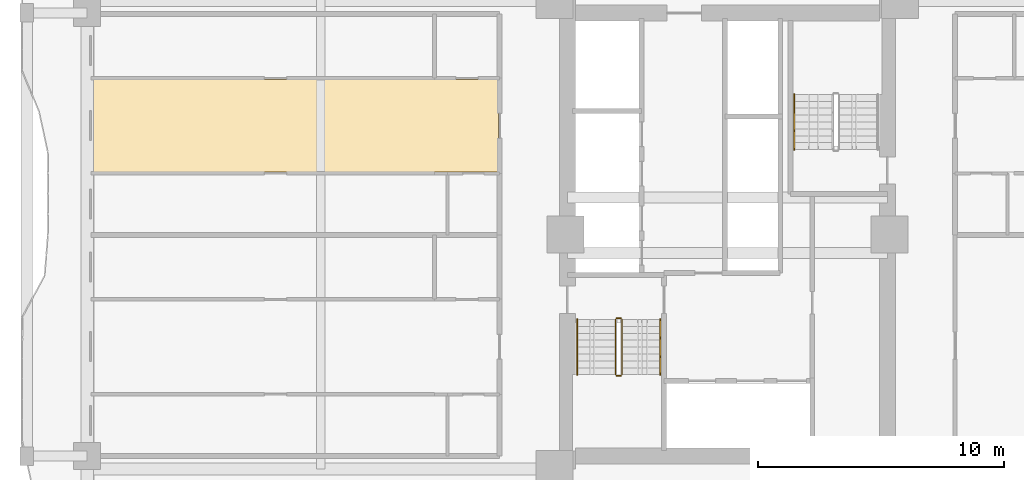
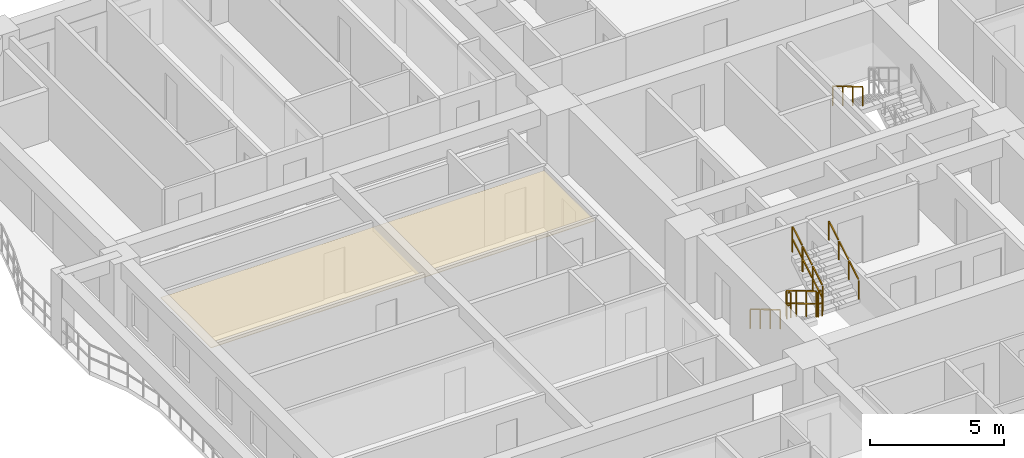
# One storey, part 12 of 15: 7 railings, 1 covering.
"""IFC4 building model written with IfcOpenShell, lengths in metres."""

from ifc_helpers import new_model, si_unit, direction, frame, origin, origin_2d, place, context, subcontext, project, spatial, polyline, rectangle, outline, extrude, material, layer, layer_set, type_object, element, save


model = new_model("IFC4")

# Units and contexts
model_context = context("Model", 3, precision=1e-05, world=origin(), true_north=direction((0.0, 1.0)))
body_context = subcontext(model_context, "Body", "Model", "MODEL_VIEW")
ifc_project = project(units=[si_unit("LENGTHUNIT", "METRE"), si_unit("AREAUNIT", "SQUARE_METRE"), si_unit("VOLUMEUNIT", "CUBIC_METRE"), si_unit("PLANEANGLEUNIT", "RADIAN"), si_unit("MASSUNIT", "GRAM", prefix="KILO")], contexts=[model_context])

# Site, building, storey
site_placement = place(None, origin())
site = spatial("IfcSite", under=ifc_project, at=site_placement, CompositionType="ELEMENT")
building_placement = place(site_placement, origin())
building = spatial("IfcBuilding", under=site, at=building_placement, Name="Saelheon Loggia Tower", CompositionType="ELEMENT")
storey_placement = place(building_placement, frame((0.0, 0.0, 49.39990234375)))
storey = spatial("IfcBuildingStorey", under=building, at=storey_placement, Name="L15", CompositionType="ELEMENT", Elevation=49.39990234375)

# Covering
ifc_material_1 = material(Name="Mineral-Fibre Acoustic Ceiling Board", Category="gypsum")
ifc_layer = layer(ifc_material_1, 0.02490234375)
ifc_layer_set = layer_set([ifc_layer], Name="Mineral-Fibre Acoustic Ceiling Board")
covering_type = type_object("IfcCoveringType", Name="Cov_Ceiling_Acoustic", PredefinedType="CEILING", material=ifc_layer_set)
covering_placement = place(storey_placement, frame((0.0, 0.0, 2.53515625)))
element("IfcCovering", 1, at=covering_placement, inside=storey, type_object=covering_type, Name="L15 Acoustic Suspended Ceiling", PredefinedType="CEILING", context=body_context, shape_type="SweptSolid", body=[
    extrude(outline(polyline([(12.199951171875, 29.5380859375), (28.699951171875, 29.5380859375), (28.699951171875, 33.300048828125), (12.199951171875, 33.300048828125), (12.199951171875, 29.5380859375)])), origin(), (0.0, 0.0, 1.0), 0.02490234375),
])

# Railings
ifc_material_2 = material(Name="Galvanised Steel S275 Stairwell Guardrail", Category="steel")
railing_type_1 = type_object("IfcRailingType", Name="Guard_StairWell_RL_STG", PredefinedType="GUARDRAIL", material=ifc_material_2)
railing_1_placement = place(storey_placement, frame((33.4599609375, 23.550048828125, 0.166748046875)))
element("IfcRailing", 2, at=railing_1_placement, inside=storey, type_object=railing_type_1, Name="L15 ST1 stair guard 1", PredefinedType="GUARDRAIL", context=body_context, shape_type="SweptSolid", body=[
    extrude(rectangle(XDim=0.048095703125, YDim=0.048095703125, at=origin_2d()), frame((0.0, -0.028564453125, 1.19287109375), z_axis=(0.0, -0.859305625298, 0.511462454469), x_axis=(1.0, 0.0, 0.0)), (0.0, 0.0, 1.0), 0.802490234375),
    extrude(rectangle(XDim=0.048095703125, YDim=0.048095703125, at=origin_2d()), frame((0.0, -0.028564453125, 0.616943359375), z_axis=(0.0, -0.859305625298, 0.511462454469), x_axis=(1.0, 0.0, 0.0)), (0.0, 0.0, 1.0), 0.802490234375),
    extrude(rectangle(XDim=0.048095703125, YDim=0.048095703125, at=origin_2d()), frame((0.0, -0.775146484375, 1.63720703125), z_axis=(0.0, -0.859305625298, 0.511462454469), x_axis=(1.0, 0.0, 0.0)), (0.0, 0.0, 1.0), 0.802490234375),
    extrude(rectangle(XDim=0.048095703125, YDim=0.048095703125, at=origin_2d()), frame((0.0, -0.775146484375, 1.061279296875), z_axis=(0.0, -0.859305625298, 0.511462454469), x_axis=(1.0, 0.0, 0.0)), (0.0, 0.0, 1.0), 0.802490234375),
    extrude(rectangle(XDim=0.048095703125, YDim=0.048095703125, at=origin_2d()), frame((0.0, -1.52197265625, 2.081787109375), z_axis=(0.0, -0.859305625298, 0.511462454469), x_axis=(1.0, 0.0, 0.0)), (0.0, 0.0, 1.0), 0.802490234375),
    extrude(rectangle(XDim=0.048095703125, YDim=0.048095703125, at=origin_2d()), frame((0.0, -1.52197265625, 1.505859375), z_axis=(0.0, -0.859305625298, 0.511462454469), x_axis=(1.0, 0.0, 0.0)), (0.0, 0.0, 1.0), 0.802490234375),
    extrude(rectangle(XDim=0.0419921875, YDim=0.0419921875, at=origin_2d()), origin(), (0.0, 0.0, 1.0), 1.14794921875),
    extrude(rectangle(XDim=0.0419921875, YDim=0.0419921875, at=origin_2d()), frame((0.0, -0.74658203125, 0.4443359375)), (0.0, 0.0, 1.0), 1.14794921875),
    extrude(rectangle(XDim=0.0419921875, YDim=0.0419921875, at=origin_2d()), frame((0.0, -1.493408203125, 0.888916015625)), (0.0, 0.0, 1.0), 1.14794921875),
    extrude(rectangle(XDim=0.0419921875, YDim=0.0419921875, at=origin_2d()), frame((0.0, -2.239990234375, 1.333251953125)), (0.0, 0.0, 1.0), 1.14794921875),
])
railing_2_placement = place(storey_placement, frame((33.510009765625, 21.260009765625, 1.5)))
element("IfcRailing", 3, at=railing_2_placement, inside=storey, type_object=railing_type_1, Name="L15 ST1 stair guard 2", PredefinedType="GUARDRAIL", context=body_context, shape_type="SweptSolid", body=[
    extrude(rectangle(XDim=0.048095703125, YDim=0.048095703125, at=origin_2d()), frame((0.033203125, 0.0, 1.17578125), z_axis=(1.0, 0.0, 0.0), x_axis=(0.0, 1.0, 0.0)), (0.0, 0.0, 1.0), 0.093505859375),
    extrude(rectangle(XDim=0.048095703125, YDim=0.048095703125, at=origin_2d()), frame((0.033203125, 0.0, 0.60009765625), z_axis=(1.0, 0.0, 0.0), x_axis=(0.0, 1.0, 0.0)), (0.0, 0.0, 1.0), 0.093505859375),
    extrude(rectangle(XDim=0.0419921875, YDim=0.0419921875, at=origin_2d()), origin(), (0.0, 0.0, 1.0), 1.14794921875),
    extrude(rectangle(XDim=0.0419921875, YDim=0.0419921875, at=origin_2d()), frame((0.159912109375, 0.0, 0.0)), (0.0, 0.0, 1.0), 1.14794921875),
])
railing_3_placement = place(storey_placement, frame((33.719970703125, 21.31005859375, 1.666748046875)))
element("IfcRailing", 4, at=railing_3_placement, inside=storey, type_object=railing_type_1, Name="L15 ST1 stair guard 3", PredefinedType="GUARDRAIL", context=body_context, shape_type="SweptSolid", body=[
    extrude(rectangle(XDim=0.048095703125, YDim=0.048095703125, at=origin_2d()), frame((0.0, 0.028564453125, 1.19287109375), z_axis=(0.0, 0.859305625298, 0.511462454469), x_axis=(-1.0, 0.0, 0.0)), (0.0, 0.0, 1.0), 0.802490234375),
    extrude(rectangle(XDim=0.048095703125, YDim=0.048095703125, at=origin_2d()), frame((0.0, 0.028564453125, 0.616943359375), z_axis=(0.0, 0.859305625298, 0.511462454469), x_axis=(-1.0, 0.0, 0.0)), (0.0, 0.0, 1.0), 0.802490234375),
    extrude(rectangle(XDim=0.048095703125, YDim=0.048095703125, at=origin_2d()), frame((0.0, 0.775146484375, 1.63720703125), z_axis=(0.0, 0.859305625298, 0.511462454469), x_axis=(-1.0, 0.0, 0.0)), (0.0, 0.0, 1.0), 0.802490234375),
    extrude(rectangle(XDim=0.048095703125, YDim=0.048095703125, at=origin_2d()), frame((0.0, 0.775146484375, 1.061279296875), z_axis=(0.0, 0.859305625298, 0.511462454469), x_axis=(-1.0, 0.0, 0.0)), (0.0, 0.0, 1.0), 0.802490234375),
    extrude(rectangle(XDim=0.048095703125, YDim=0.048095703125, at=origin_2d()), frame((0.0, 1.52197265625, 2.081787109375), z_axis=(0.0, 0.859305625298, 0.511462454469), x_axis=(-1.0, 0.0, 0.0)), (0.0, 0.0, 1.0), 0.802490234375),
    extrude(rectangle(XDim=0.048095703125, YDim=0.048095703125, at=origin_2d()), frame((0.0, 1.52197265625, 1.505859375), z_axis=(0.0, 0.859305625298, 0.511462454469), x_axis=(-1.0, 0.0, 0.0)), (0.0, 0.0, 1.0), 0.802490234375),
    extrude(rectangle(XDim=0.0419921875, YDim=0.0419921875, at=origin_2d()), origin(), (0.0, 0.0, 1.0), 1.14794921875),
    extrude(rectangle(XDim=0.0419921875, YDim=0.0419921875, at=origin_2d()), frame((0.0, 0.74658203125, 0.4443359375)), (0.0, 0.0, 1.0), 1.14794921875),
    extrude(rectangle(XDim=0.0419921875, YDim=0.0419921875, at=origin_2d()), frame((0.0, 1.493408203125, 0.888916015625)), (0.0, 0.0, 1.0), 1.14794921875),
    extrude(rectangle(XDim=0.0419921875, YDim=0.0419921875, at=origin_2d()), frame((0.0, 2.239990234375, 1.333251953125)), (0.0, 0.0, 1.0), 1.14794921875),
])
railing_4_placement = place(storey_placement, frame((33.510009765625, 23.60009765625, 0.0)))
element("IfcRailing", 5, at=railing_4_placement, inside=storey, type_object=railing_type_1, Name="L15 ST1 stair guard 4", PredefinedType="GUARDRAIL", context=body_context, shape_type="SweptSolid", body=[
    extrude(rectangle(XDim=0.048095703125, YDim=0.048095703125, at=origin_2d()), frame((0.033203125, 0.0, 1.17578125), z_axis=(1.0, 0.0, 0.0), x_axis=(0.0, 1.0, 0.0)), (0.0, 0.0, 1.0), 0.093505859375),
    extrude(rectangle(XDim=0.048095703125, YDim=0.048095703125, at=origin_2d()), frame((0.033203125, 0.0, 0.60009765625), z_axis=(1.0, 0.0, 0.0), x_axis=(0.0, 1.0, 0.0)), (0.0, 0.0, 1.0), 0.093505859375),
    extrude(rectangle(XDim=0.0419921875, YDim=0.0419921875, at=origin_2d()), origin(), (0.0, 0.0, 1.0), 1.14794921875),
    extrude(rectangle(XDim=0.0419921875, YDim=0.0419921875, at=origin_2d()), frame((0.159912109375, 0.0, 0.0)), (0.0, 0.0, 1.0), 1.14794921875),
])
ifc_material_3 = material(Name="Stainless Steel 304 Tubular Handrail", Category="steel")
railing_type_2 = type_object("IfcRailingType", Name="Handrail_Stair_RL_HR1", PredefinedType="HANDRAIL", material=ifc_material_3)
railing_5_placement = place(storey_placement, frame((31.89990234375, 23.550048828125, 0.166748046875)))
element("IfcRailing", 6, at=railing_5_placement, inside=storey, type_object=railing_type_2, Name="L15 ST1 stair handrail 1", PredefinedType="HANDRAIL", context=body_context, shape_type="SweptSolid", body=[
    extrude(rectangle(XDim=0.048095703125, YDim=0.048095703125, at=origin_2d()), frame((0.0, -0.028564453125, 0.892822265625), z_axis=(0.0, -0.859305625298, 0.511462454469), x_axis=(1.0, 0.0, 0.0)), (0.0, 0.0, 1.0), 0.802490234375),
    extrude(rectangle(XDim=0.048095703125, YDim=0.048095703125, at=origin_2d()), frame((0.0, -0.775146484375, 1.337158203125), z_axis=(0.0, -0.859305625298, 0.511462454469), x_axis=(1.0, 0.0, 0.0)), (0.0, 0.0, 1.0), 0.802490234375),
    extrude(rectangle(XDim=0.048095703125, YDim=0.048095703125, at=origin_2d()), frame((0.0, -1.52197265625, 1.78173828125), z_axis=(0.0, -0.859305625298, 0.511462454469), x_axis=(1.0, 0.0, 0.0)), (0.0, 0.0, 1.0), 0.802490234375),
    extrude(rectangle(XDim=0.0419921875, YDim=0.0419921875, at=origin_2d()), origin(), (0.0, 0.0, 1.0), 0.847900390625),
    extrude(rectangle(XDim=0.0419921875, YDim=0.0419921875, at=origin_2d()), frame((0.0, -0.74658203125, 0.4443359375)), (0.0, 0.0, 1.0), 0.847900390625),
    extrude(rectangle(XDim=0.0419921875, YDim=0.0419921875, at=origin_2d()), frame((0.0, -1.493408203125, 0.888916015625)), (0.0, 0.0, 1.0), 0.847900390625),
    extrude(rectangle(XDim=0.0419921875, YDim=0.0419921875, at=origin_2d()), frame((0.0, -2.239990234375, 1.333251953125)), (0.0, 0.0, 1.0), 0.847900390625),
])
railing_6_placement = place(storey_placement, frame((35.280029296875, 21.31005859375, 1.666748046875)))
element("IfcRailing", 7, at=railing_6_placement, inside=storey, type_object=railing_type_2, Name="L15 ST1 stair handrail 2", PredefinedType="HANDRAIL", context=body_context, shape_type="SweptSolid", body=[
    extrude(rectangle(XDim=0.048095703125, YDim=0.048095703125, at=origin_2d()), frame((0.0, 0.028564453125, 0.892822265625), z_axis=(0.0, 0.859305625298, 0.511462454469), x_axis=(-1.0, 0.0, 0.0)), (0.0, 0.0, 1.0), 0.802490234375),
    extrude(rectangle(XDim=0.048095703125, YDim=0.048095703125, at=origin_2d()), frame((0.0, 0.775146484375, 1.337158203125), z_axis=(0.0, 0.859305625298, 0.511462454469), x_axis=(-1.0, 0.0, 0.0)), (0.0, 0.0, 1.0), 0.802490234375),
    extrude(rectangle(XDim=0.048095703125, YDim=0.048095703125, at=origin_2d()), frame((0.0, 1.52197265625, 1.78173828125), z_axis=(0.0, 0.859305625298, 0.511462454469), x_axis=(-1.0, 0.0, 0.0)), (0.0, 0.0, 1.0), 0.802490234375),
    extrude(rectangle(XDim=0.0419921875, YDim=0.0419921875, at=origin_2d()), origin(), (0.0, 0.0, 1.0), 0.847900390625),
    extrude(rectangle(XDim=0.0419921875, YDim=0.0419921875, at=origin_2d()), frame((0.0, 0.74658203125, 0.4443359375)), (0.0, 0.0, 1.0), 0.847900390625),
    extrude(rectangle(XDim=0.0419921875, YDim=0.0419921875, at=origin_2d()), frame((0.0, 1.493408203125, 0.888916015625)), (0.0, 0.0, 1.0), 0.847900390625),
    extrude(rectangle(XDim=0.0419921875, YDim=0.0419921875, at=origin_2d()), frame((0.0, 2.239990234375, 1.333251953125)), (0.0, 0.0, 1.0), 0.847900390625),
])
railing_7_placement = place(storey_placement, frame((40.719970703125, 32.68994140625, 1.666748046875)))
element("IfcRailing", 8, at=railing_7_placement, inside=storey, type_object=railing_type_2, Name="L15 ST2 stair handrail 2", PredefinedType="HANDRAIL", context=body_context, shape_type="SweptSolid", body=[
    extrude(rectangle(XDim=0.048095703125, YDim=0.048095703125, at=origin_2d()), frame((0.0, -0.028564453125, 0.892822265625), z_axis=(0.0, -0.859305625298, 0.511462454469), x_axis=(1.0, 0.0, 0.0)), (0.0, 0.0, 1.0), 0.802490234375),
    extrude(rectangle(XDim=0.048095703125, YDim=0.048095703125, at=origin_2d()), frame((0.0, -0.775146484375, 1.337158203125), z_axis=(0.0, -0.859305625298, 0.511462454469), x_axis=(1.0, 0.0, 0.0)), (0.0, 0.0, 1.0), 0.802490234375),
    extrude(rectangle(XDim=0.048095703125, YDim=0.048095703125, at=origin_2d()), frame((0.0, -1.52197265625, 1.78173828125), z_axis=(0.0, -0.859305625298, 0.511462454469), x_axis=(1.0, 0.0, 0.0)), (0.0, 0.0, 1.0), 0.802490234375),
    extrude(rectangle(XDim=0.0419921875, YDim=0.0419921875, at=origin_2d()), origin(), (0.0, 0.0, 1.0), 0.847900390625),
    extrude(rectangle(XDim=0.0419921875, YDim=0.0419921875, at=origin_2d()), frame((0.0, -0.74658203125, 0.4443359375)), (0.0, 0.0, 1.0), 0.847900390625),
    extrude(rectangle(XDim=0.0419921875, YDim=0.0419921875, at=origin_2d()), frame((0.0, -1.493408203125, 0.888916015625)), (0.0, 0.0, 1.0), 0.847900390625),
    extrude(rectangle(XDim=0.0419921875, YDim=0.0419921875, at=origin_2d()), frame((0.0, -2.239990234375, 1.333251953125)), (0.0, 0.0, 1.0), 0.847900390625),
])

save(model, "model.ifc")
